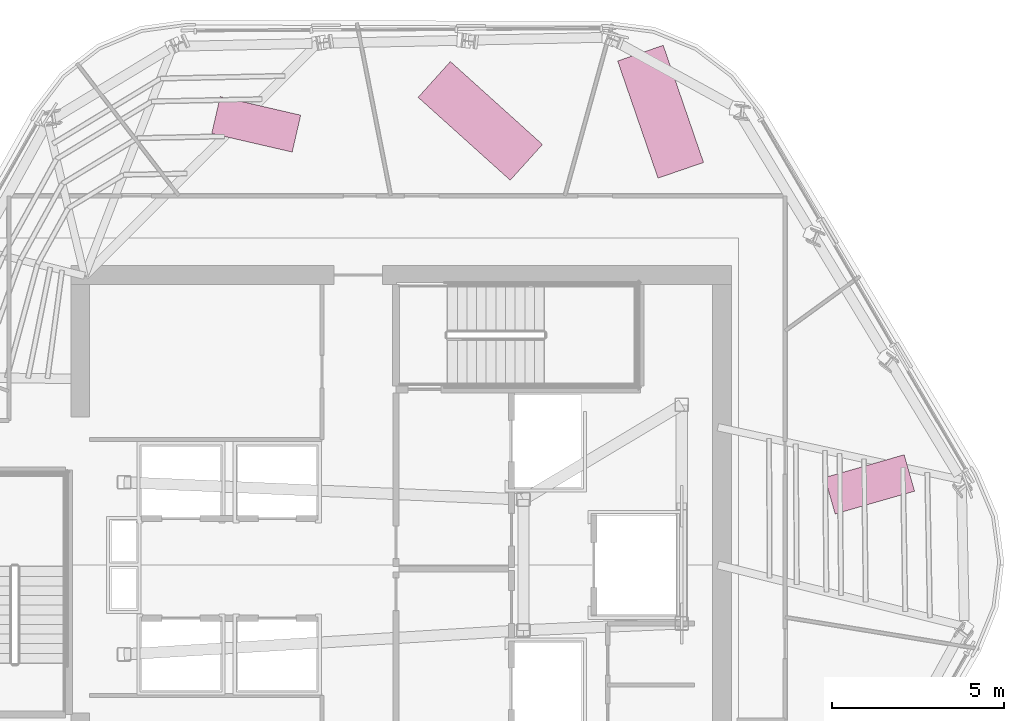
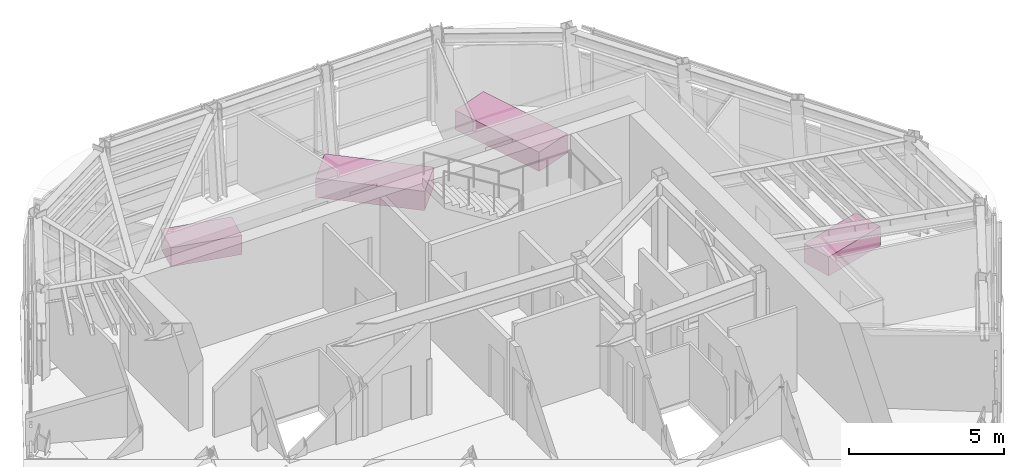
# One storey, part 13 of 13: 4 furniture elements.
"""IFC4 building model written with IfcOpenShell, lengths in metres."""

from ifc_helpers import new_model, si_unit, direction, frame, origin, origin_2d, place, context, subcontext, project, spatial, rectangle, extrude, material, type_object, element, save


model = new_model("IFC4")

# Units and contexts
model_context = context("Model", 3, precision=1e-05, world=origin(), true_north=direction((0.0, 1.0)))
body_context = subcontext(model_context, "Body", "Model", "MODEL_VIEW")
ifc_project = project(units=[si_unit("LENGTHUNIT", "METRE"), si_unit("AREAUNIT", "SQUARE_METRE"), si_unit("VOLUMEUNIT", "CUBIC_METRE"), si_unit("PLANEANGLEUNIT", "RADIAN"), si_unit("MASSUNIT", "GRAM", prefix="KILO")], contexts=[model_context])

# Site, building, storey
site_placement = place(None, origin())
site = spatial("IfcSite", under=ifc_project, at=site_placement, CompositionType="ELEMENT")
building_placement = place(site_placement, origin())
building = spatial("IfcBuilding", under=site, at=building_placement, Name="Valkerne Bourse Tower", CompositionType="ELEMENT")
storey_placement = place(building_placement, frame((0.0, 0.0, 285.0)))
storey = spatial("IfcBuildingStorey", under=building, at=storey_placement, Name="L72", CompositionType="ELEMENT", Elevation=285.0)

# Furniture
ifc_material = material(Name="Architectural White Oak Timber", Category="wood")
furniture_type_1 = type_object("IfcFurnitureType", Name="FURN-CONF-3600", AssemblyPlace="NOTDEFINED", PredefinedType="TABLE", material=ifc_material)
for number, where, z_axis, x_axis, name in (
    (1, (54.3359375, 40.1650390625, 0.044921875), (0.0, 0.0, 1.0), (-0.325568154457, 0.945518575599, 0.0), "L72 Suite Worktable 05"),
    (2, (49.097900390625, 39.89892578125, 0.044921875), (0.0, 0.0, 1.0), (-0.743144825477, 0.669130606359, 0.0), "L72 Suite Worktable 06"),
):
    element("IfcFurniture", number, at=place(storey_placement, frame(where, z_axis=z_axis, x_axis=x_axis)), inside=storey, type_object=furniture_type_1, Name=name, PredefinedType="TABLE", context=body_context, shape_type="SweptSolid", body=[
        extrude(rectangle(XDim=3.60009765625, YDim=1.39990234375, at=origin_2d()), origin(), (0.0, 0.0, 1.0), 0.760009765625),
    ])
furniture_type_2 = type_object("IfcFurnitureType", Name="FURN-DESK-2400", AssemblyPlace="NOTDEFINED", PredefinedType="DESK", material=ifc_material)
for number, where, z_axis, x_axis, name in (
    (3, (42.587890625, 39.799072265625, 0.044921875), (0.0, 0.0, 1.0), (-0.974370064785, 0.224951054344, 0.0), "L72 Suite Worktable 07"),
    (4, (60.408935546875, 29.340087890625, 0.044921875), (0.0, 0.0, 1.0), (0.961261695938, 0.275637355817, 0.0), "L72 Suite Worktable 08"),
):
    element("IfcFurniture", number, at=place(storey_placement, frame(where, z_axis=z_axis, x_axis=x_axis)), inside=storey, type_object=furniture_type_2, Name=name, PredefinedType="DESK", context=body_context, shape_type="SweptSolid", body=[
        extrude(rectangle(XDim=2.39990234375, YDim=1.10009765625, at=origin_2d()), origin(), (0.0, 0.0, 1.0), 0.75),
    ])

save(model, "model.ifc")
